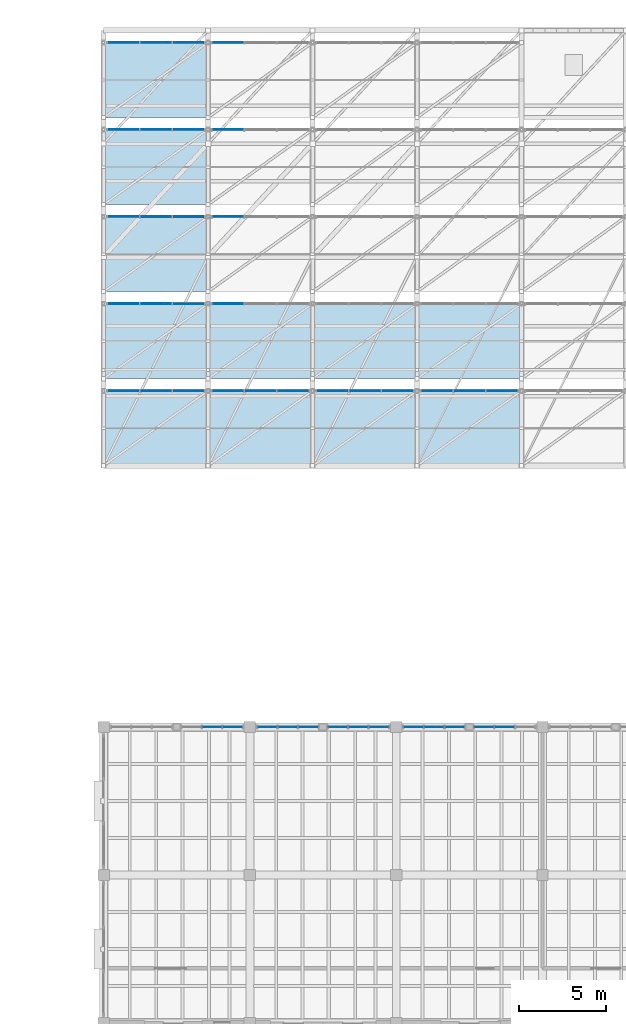
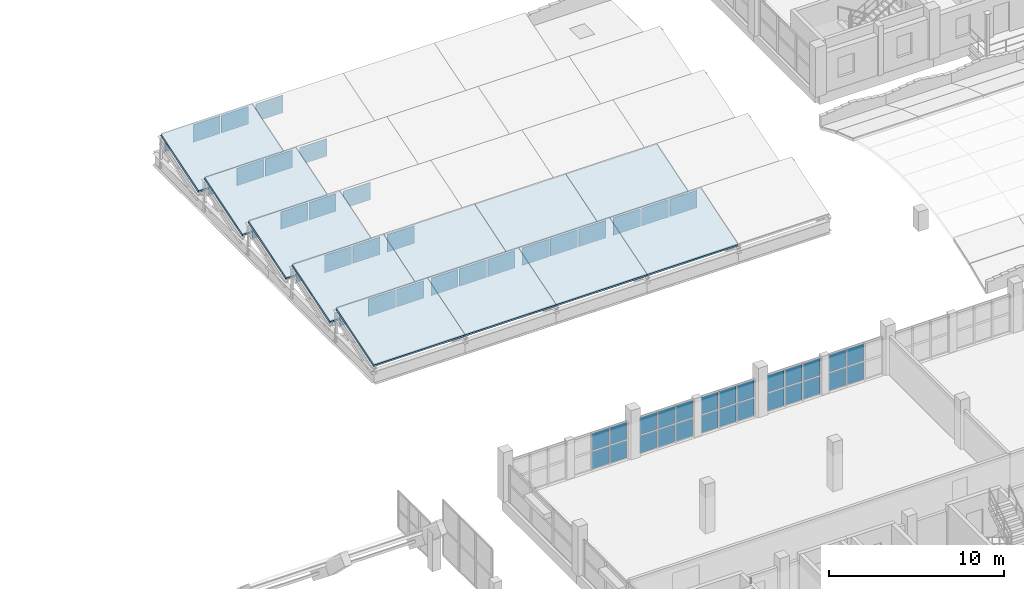
# One storey, part 26 of 48: 54 plates, 11 slabs, 17 elements without a shape of their own.
"""IFC4 building model written with IfcOpenShell, lengths in metres."""

from ifc_helpers import new_model, si_unit, direction, frame, origin, origin_2d, place, context, subcontext, project, spatial, polyline, rectangle, outline, extrude, material, layer, layer_set, type_object, element, aggregate, save


model = new_model("IFC4")

# Units and contexts
model_context = context("Model", 3, precision=1e-05, world=origin(), true_north=direction((0.0, 1.0)))
body_context = subcontext(model_context, "Body", "Model", "MODEL_VIEW")
ifc_project = project(units=[si_unit("LENGTHUNIT", "METRE"), si_unit("AREAUNIT", "SQUARE_METRE"), si_unit("VOLUMEUNIT", "CUBIC_METRE"), si_unit("PLANEANGLEUNIT", "RADIAN"), si_unit("MASSUNIT", "GRAM", prefix="KILO")], contexts=[model_context])

# Site, building, storey
site_placement = place(None, origin())
site = spatial("IfcSite", under=ifc_project, at=site_placement, CompositionType="ELEMENT")
building_placement = place(site_placement, origin())
building = spatial("IfcBuilding", under=site, at=building_placement, Name="Trellovar Central Fire Station", CompositionType="ELEMENT")
storey_placement = place(building_placement, frame((0.0, 0.0, 9.300048828125)))
storey = spatial("IfcBuildingStorey", under=building, at=storey_placement, Name="L03", CompositionType="ELEMENT", Elevation=9.300048828125)

# Curtain wall, plate
ifc_material_1 = material(Name="Thermally broken bronze anodized aluminum", Category="aluminium")
ifc_layer_1 = layer(ifc_material_1, 0.159912109375)
ifc_layer_set_1 = layer_set([ifc_layer_1], Name="Thermally broken bronze anodized aluminum")
curtain_wall_type_1 = type_object("IfcCurtainWallType", Name="CW-09", PredefinedType="NOTDEFINED", material=ifc_layer_set_1)
curtain_wall_1_placement = place(storey_placement, origin())
curtain_wall_1 = element("IfcCurtainWall", 1, at=curtain_wall_1_placement, inside=storey, type_object=curtain_wall_type_1, Name="L03 curtain wall CW-9", PredefinedType="NOTDEFINED")
ifc_material_2 = material(Name="Double low-E solar control insulated glazing", Category="glass")
ifc_layer_2 = layer(ifc_material_2, 0.031982421875)
ifc_layer_set_2 = layer_set([ifc_layer_2], Name="Double low-E solar control insulated glazing")
plate_type_1 = type_object("IfcPlateType", Name="CWP-GL1", PredefinedType="CURTAIN_PANEL", material=ifc_layer_set_2)
plate_1_placement = place(storey_placement, frame((120.125, 33.0, 1.31494140625), z_axis=(0.0, 0.0, 1.0), x_axis=(-1.0, 0.0, 0.0)))
plate_1 = element("IfcPlate", 2, at=plate_1_placement, type_object=plate_type_1, Name="CW3-L03-0078 panel 2-2", PredefinedType="CURTAIN_PANEL", context=body_context, shape_type="SweptSolid", body=[
    extrude(rectangle(XDim=1.103515625, YDim=0.031982421875, at=origin_2d()), origin(), (0.0, 0.0, 1.0), 1.195068359375),
])

ifc_material_3 = material(Name="Thermally broken bronze anodized aluminum", Category="aluminium")
ifc_layer_3 = layer(ifc_material_3, 0.159912109375)
ifc_layer_set_3 = layer_set([ifc_layer_3], Name="Thermally broken bronze anodized aluminum")
curtain_wall_type_2 = type_object("IfcCurtainWallType", Name="CW-10", PredefinedType="NOTDEFINED", material=ifc_layer_set_3)
curtain_wall_2_placement = place(storey_placement, origin())
curtain_wall_2 = element("IfcCurtainWall", 3, at=curtain_wall_2_placement, inside=storey, type_object=curtain_wall_type_2, Name="L03 curtain wall CW-10", PredefinedType="NOTDEFINED")
plate_2_placement = place(storey_placement, frame((117.25830078125, 33.0, 1.31494140625), z_axis=(0.0, 0.0, 1.0), x_axis=(-1.0, 0.0, 0.0)))
plate_2 = element("IfcPlate", 4, at=plate_2_placement, type_object=plate_type_1, Name="CW3-L03-0079 panel 1-2", PredefinedType="CURTAIN_PANEL", context=body_context, shape_type="SweptSolid", body=[
    extrude(rectangle(XDim=1.103271484375, YDim=0.031982421875, at=origin_2d()), origin(), (0.0, 0.0, 1.0), 1.195068359375),
])

curtain_wall_3_placement = place(storey_placement, origin())
curtain_wall_3 = element("IfcCurtainWall", 5, at=curtain_wall_3_placement, inside=storey, type_object=curtain_wall_type_2, Name="L03 curtain wall CW-10", PredefinedType="NOTDEFINED")
plate_3_placement = place(storey_placement, frame((123.291748046875, 33.0, 1.31494140625), z_axis=(0.0, 0.0, 1.0), x_axis=(-1.0, 0.0, 0.0)))
plate_3 = element("IfcPlate", 6, at=plate_3_placement, type_object=plate_type_1, Name="CW3-L03-0081 panel 3-2", PredefinedType="CURTAIN_PANEL", context=body_context, shape_type="SweptSolid", body=[
    extrude(rectangle(XDim=1.103271484375, YDim=0.031982421875, at=origin_2d()), origin(), (0.0, 0.0, 1.0), 1.195068359375),
])

ifc_material_4 = material(Name="Thermally broken bronze anodized aluminum", Category="aluminium")
ifc_layer_4 = layer(ifc_material_4, 0.159912109375)
ifc_layer_set_4 = layer_set([ifc_layer_4], Name="Thermally broken bronze anodized aluminum")
curtain_wall_type_3 = type_object("IfcCurtainWallType", Name="CW-06", PredefinedType="NOTDEFINED", material=ifc_layer_set_4)
curtain_wall_4_placement = place(storey_placement, origin())
curtain_wall_4 = element("IfcCurtainWall", 7, at=curtain_wall_4_placement, inside=storey, type_object=curtain_wall_type_3, Name="V6 sawtooth north-light monitor 1-1", PredefinedType="NOTDEFINED")
plate_4_placement = place(storey_placement, frame((108.5, 52.300048828125, 0.2197265625), z_axis=(0.0, 0.0, 1.0), x_axis=(-1.0, 0.0, 0.0)))
plate_4 = element("IfcPlate", 8, at=plate_4_placement, type_object=plate_type_1, Name="CW3-L03-0107 panel 2-1", PredefinedType="CURTAIN_PANEL", context=body_context, shape_type="SweptSolid", body=[
    extrude(rectangle(XDim=1.78662109375, YDim=0.031982421875, at=origin_2d()), origin(), (0.0, 0.0, 1.0), 1.219970703125),
])

curtain_wall_5_placement = place(storey_placement, origin())
curtain_wall_5 = element("IfcCurtainWall", 9, at=curtain_wall_5_placement, inside=storey, type_object=curtain_wall_type_3, Name="V6 sawtooth north-light monitor 2-1", PredefinedType="NOTDEFINED")
plate_5_placement = place(storey_placement, frame((110.36669921875, 57.300048828125, 0.2197265625), z_axis=(0.0, 0.0, 1.0), x_axis=(-1.0, 0.0, 0.0)))
plate_5 = element("IfcPlate", 10, at=plate_5_placement, type_object=plate_type_1, Name="CW3-L03-0108 panel 1-1", PredefinedType="CURTAIN_PANEL", context=body_context, shape_type="SweptSolid", body=[
    extrude(rectangle(XDim=1.78662109375, YDim=0.031982421875, at=origin_2d()), origin(), (0.0, 0.0, 1.0), 1.219970703125),
])

curtain_wall_6_placement = place(storey_placement, origin())
curtain_wall_6 = element("IfcCurtainWall", 11, at=curtain_wall_6_placement, inside=storey, type_object=curtain_wall_type_3, Name="V6 sawtooth north-light monitor 4-1", PredefinedType="NOTDEFINED")
plate_6_placement = place(storey_placement, frame((106.63330078125, 67.300048828125, 0.2197265625), z_axis=(0.0, 0.0, 1.0), x_axis=(-1.0, 0.0, 0.0)))
plate_6 = element("IfcPlate", 12, at=plate_6_placement, type_object=plate_type_1, Name="CW3-L03-0110 panel 3-1", PredefinedType="CURTAIN_PANEL", context=body_context, shape_type="SweptSolid", body=[
    extrude(rectangle(XDim=1.78662109375, YDim=0.031982421875, at=origin_2d()), origin(), (0.0, 0.0, 1.0), 1.219970703125),
])

curtain_wall_7_placement = place(storey_placement, origin())
curtain_wall_7 = element("IfcCurtainWall", 13, at=curtain_wall_7_placement, inside=storey, type_object=curtain_wall_type_3, Name="V6 sawtooth north-light monitor 5-1", PredefinedType="NOTDEFINED")
plate_7_placement = place(storey_placement, frame((108.5, 72.300048828125, 0.2197265625), z_axis=(0.0, 0.0, 1.0), x_axis=(-1.0, 0.0, 0.0)))
plate_7 = element("IfcPlate", 14, at=plate_7_placement, type_object=plate_type_1, Name="CW3-L03-0111 panel 2-1", PredefinedType="CURTAIN_PANEL", context=body_context, shape_type="SweptSolid", body=[
    extrude(rectangle(XDim=1.78662109375, YDim=0.031982421875, at=origin_2d()), origin(), (0.0, 0.0, 1.0), 1.219970703125),
])

curtain_wall_8_placement = place(storey_placement, origin())
curtain_wall_8 = element("IfcCurtainWall", 15, at=curtain_wall_8_placement, inside=storey, type_object=curtain_wall_type_3, Name="V6 sawtooth north-light monitor 1-2", PredefinedType="NOTDEFINED")
plate_8_placement = place(storey_placement, frame((114.5, 52.300048828125, 0.2197265625), z_axis=(0.0, 0.0, 1.0), x_axis=(-1.0, 0.0, 0.0)))
plate_8 = element("IfcPlate", 16, at=plate_8_placement, type_object=plate_type_1, Name="CW3-L03-0115 panel 2-1", PredefinedType="CURTAIN_PANEL", context=body_context, shape_type="SweptSolid", body=[
    extrude(rectangle(XDim=1.78662109375, YDim=0.031982421875, at=origin_2d()), origin(), (0.0, 0.0, 1.0), 1.219970703125),
])

curtain_wall_9_placement = place(storey_placement, origin())
curtain_wall_9 = element("IfcCurtainWall", 17, at=curtain_wall_9_placement, inside=storey, type_object=curtain_wall_type_3, Name="V6 sawtooth north-light monitor 4-2", PredefinedType="NOTDEFINED")
plate_9_placement = place(storey_placement, frame((112.63330078125, 67.300048828125, 0.2197265625), z_axis=(0.0, 0.0, 1.0), x_axis=(-1.0, 0.0, 0.0)))
plate_9 = element("IfcPlate", 18, at=plate_9_placement, type_object=plate_type_1, Name="CW3-L03-0118 panel 3-1", PredefinedType="CURTAIN_PANEL", context=body_context, shape_type="SweptSolid", body=[
    extrude(rectangle(XDim=1.78662109375, YDim=0.031982421875, at=origin_2d()), origin(), (0.0, 0.0, 1.0), 1.219970703125),
])
aggregate(curtain_wall_9, [plate_9])

curtain_wall_10_placement = place(storey_placement, origin())
curtain_wall_10 = element("IfcCurtainWall", 19, at=curtain_wall_10_placement, inside=storey, type_object=curtain_wall_type_3, Name="V6 sawtooth north-light monitor 1-3", PredefinedType="NOTDEFINED")
plate_10_placement = place(storey_placement, frame((120.5, 52.300048828125, 0.2197265625), z_axis=(0.0, 0.0, 1.0), x_axis=(-1.0, 0.0, 0.0)))
plate_10 = element("IfcPlate", 20, at=plate_10_placement, type_object=plate_type_1, Name="CW3-L03-0123 panel 2-1", PredefinedType="CURTAIN_PANEL", context=body_context, shape_type="SweptSolid", body=[
    extrude(rectangle(XDim=1.78662109375, YDim=0.031982421875, at=origin_2d()), origin(), (0.0, 0.0, 1.0), 1.219970703125),
])

curtain_wall_11_placement = place(storey_placement, origin())
curtain_wall_11 = element("IfcCurtainWall", 21, at=curtain_wall_11_placement, inside=storey, type_object=curtain_wall_type_3, Name="V6 sawtooth north-light monitor 1-4", PredefinedType="NOTDEFINED")
plate_11_placement = place(storey_placement, frame((126.5, 52.300048828125, 0.2197265625), z_axis=(0.0, 0.0, 1.0), x_axis=(-1.0, 0.0, 0.0)))
plate_11 = element("IfcPlate", 22, at=plate_11_placement, type_object=plate_type_1, Name="CW3-L03-0131 panel 2-1", PredefinedType="CURTAIN_PANEL", context=body_context, shape_type="SweptSolid", body=[
    extrude(rectangle(XDim=1.78662109375, YDim=0.031982421875, at=origin_2d()), origin(), (0.0, 0.0, 1.0), 1.219970703125),
])

curtain_wall_12_placement = place(storey_placement, origin())
curtain_wall_12 = element("IfcCurtainWall", 23, at=curtain_wall_12_placement, inside=storey, type_object=curtain_wall_type_1, Name="L03 curtain wall CW-9", PredefinedType="NOTDEFINED")
ifc_material_5 = material(Name="Double low-E solar control insulated glazing", Category="glass")
ifc_layer_5 = layer(ifc_material_5, 0.035888671875)
ifc_layer_set_5 = layer_set([ifc_layer_5], Name="Double low-E solar control insulated glazing")
plate_type_2 = type_object("IfcPlateType", Name="CWP-GL2", PredefinedType="CURTAIN_PANEL", material=ifc_layer_set_5)
plate_12_placement = place(storey_placement, frame((112.908203125, 33.0, 1.31494140625), z_axis=(0.0, 0.0, 1.0), x_axis=(-1.0, 0.0, 0.0)))
plate_12 = element("IfcPlate", 24, at=plate_12_placement, type_object=plate_type_2, Name="CW3-L03-0076 panel 1-2", PredefinedType="CURTAIN_PANEL", context=body_context, shape_type="SweptSolid", body=[
    extrude(rectangle(XDim=1.103271484375, YDim=0.035888671875, at=origin_2d()), origin(), (0.0, 0.0, 1.0), 1.195068359375),
])

# Plate
plate_13_placement = place(storey_placement, frame((118.941650390625, 33.0, 1.31494140625), z_axis=(0.0, 0.0, 1.0), x_axis=(-1.0, 0.0, 0.0)))
plate_13 = element("IfcPlate", 25, at=plate_13_placement, type_object=plate_type_2, Name="CW3-L03-0078 panel 3-2", PredefinedType="CURTAIN_PANEL", context=body_context, shape_type="SweptSolid", body=[
    extrude(rectangle(XDim=1.103271484375, YDim=0.035888671875, at=origin_2d()), origin(), (0.0, 0.0, 1.0), 1.195068359375),
])

plate_14_placement = place(storey_placement, frame((116.074951171875, 33.0, 1.31494140625), z_axis=(0.0, 0.0, 1.0), x_axis=(-1.0, 0.0, 0.0)))
plate_14 = element("IfcPlate", 26, at=plate_14_placement, type_object=plate_type_2, Name="CW3-L03-0079 panel 2-2", PredefinedType="CURTAIN_PANEL", context=body_context, shape_type="SweptSolid", body=[
    extrude(rectangle(XDim=1.103515625, YDim=0.035888671875, at=origin_2d()), origin(), (0.0, 0.0, 1.0), 1.195068359375),
])

plate_15_placement = place(storey_placement, frame((106.63330078125, 52.300048828125, 0.2197265625), z_axis=(0.0, 0.0, 1.0), x_axis=(-1.0, 0.0, 0.0)))
plate_15 = element("IfcPlate", 27, at=plate_15_placement, type_object=plate_type_2, Name="CW3-L03-0107 panel 3-1", PredefinedType="CURTAIN_PANEL", context=body_context, shape_type="SweptSolid", body=[
    extrude(rectangle(XDim=1.78662109375, YDim=0.035888671875, at=origin_2d()), origin(), (0.0, 0.0, 1.0), 1.219970703125),
])

plate_16_placement = place(storey_placement, frame((108.5, 57.300048828125, 0.2197265625), z_axis=(0.0, 0.0, 1.0), x_axis=(-1.0, 0.0, 0.0)))
plate_16 = element("IfcPlate", 28, at=plate_16_placement, type_object=plate_type_2, Name="CW3-L03-0108 panel 2-1", PredefinedType="CURTAIN_PANEL", context=body_context, shape_type="SweptSolid", body=[
    extrude(rectangle(XDim=1.78662109375, YDim=0.035888671875, at=origin_2d()), origin(), (0.0, 0.0, 1.0), 1.219970703125),
])

# Curtain wall, plate
curtain_wall_13_placement = place(storey_placement, origin())
curtain_wall_13 = element("IfcCurtainWall", 29, at=curtain_wall_13_placement, inside=storey, type_object=curtain_wall_type_3, Name="V6 sawtooth north-light monitor 3-1", PredefinedType="NOTDEFINED")
plate_17_placement = place(storey_placement, frame((110.36669921875, 62.300048828125, 0.2197265625), z_axis=(0.0, 0.0, 1.0), x_axis=(-1.0, 0.0, 0.0)))
plate_17 = element("IfcPlate", 30, at=plate_17_placement, type_object=plate_type_2, Name="CW3-L03-0109 panel 1-1", PredefinedType="CURTAIN_PANEL", context=body_context, shape_type="SweptSolid", body=[
    extrude(rectangle(XDim=1.78662109375, YDim=0.035888671875, at=origin_2d()), origin(), (0.0, 0.0, 1.0), 1.219970703125),
])

# Plate
plate_18_placement = place(storey_placement, frame((106.63330078125, 72.300048828125, 0.2197265625), z_axis=(0.0, 0.0, 1.0), x_axis=(-1.0, 0.0, 0.0)))
plate_18 = element("IfcPlate", 31, at=plate_18_placement, type_object=plate_type_2, Name="CW3-L03-0111 panel 3-1", PredefinedType="CURTAIN_PANEL", context=body_context, shape_type="SweptSolid", body=[
    extrude(rectangle(XDim=1.78662109375, YDim=0.035888671875, at=origin_2d()), origin(), (0.0, 0.0, 1.0), 1.219970703125),
])

plate_19_placement = place(storey_placement, frame((112.63330078125, 52.300048828125, 0.2197265625), z_axis=(0.0, 0.0, 1.0), x_axis=(-1.0, 0.0, 0.0)))
plate_19 = element("IfcPlate", 32, at=plate_19_placement, type_object=plate_type_2, Name="CW3-L03-0115 panel 3-1", PredefinedType="CURTAIN_PANEL", context=body_context, shape_type="SweptSolid", body=[
    extrude(rectangle(XDim=1.78662109375, YDim=0.035888671875, at=origin_2d()), origin(), (0.0, 0.0, 1.0), 1.219970703125),
])

# Curtain wall, plate
curtain_wall_14_placement = place(storey_placement, origin())
curtain_wall_14 = element("IfcCurtainWall", 33, at=curtain_wall_14_placement, inside=storey, type_object=curtain_wall_type_3, Name="V6 sawtooth north-light monitor 5-2", PredefinedType="NOTDEFINED")
plate_20_placement = place(storey_placement, frame((112.63330078125, 72.300048828125, 0.2197265625), z_axis=(0.0, 0.0, 1.0), x_axis=(-1.0, 0.0, 0.0)))
plate_20 = element("IfcPlate", 34, at=plate_20_placement, type_object=plate_type_2, Name="CW3-L03-0119 panel 3-1", PredefinedType="CURTAIN_PANEL", context=body_context, shape_type="SweptSolid", body=[
    extrude(rectangle(XDim=1.78662109375, YDim=0.035888671875, at=origin_2d()), origin(), (0.0, 0.0, 1.0), 1.219970703125),
])
aggregate(curtain_wall_14, [plate_20])

# Plate
plate_21_placement = place(storey_placement, frame((118.63330078125, 52.300048828125, 0.2197265625), z_axis=(0.0, 0.0, 1.0), x_axis=(-1.0, 0.0, 0.0)))
plate_21 = element("IfcPlate", 35, at=plate_21_placement, type_object=plate_type_2, Name="CW3-L03-0123 panel 3-1", PredefinedType="CURTAIN_PANEL", context=body_context, shape_type="SweptSolid", body=[
    extrude(rectangle(XDim=1.78662109375, YDim=0.035888671875, at=origin_2d()), origin(), (0.0, 0.0, 1.0), 1.219970703125),
])

plate_22_placement = place(storey_placement, frame((124.63330078125, 52.300048828125, 0.2197265625), z_axis=(0.0, 0.0, 1.0), x_axis=(-1.0, 0.0, 0.0)))
plate_22 = element("IfcPlate", 36, at=plate_22_placement, type_object=plate_type_2, Name="CW3-L03-0131 panel 3-1", PredefinedType="CURTAIN_PANEL", context=body_context, shape_type="SweptSolid", body=[
    extrude(rectangle(XDim=1.78662109375, YDim=0.035888671875, at=origin_2d()), origin(), (0.0, 0.0, 1.0), 1.219970703125),
])

ifc_material_6 = material(Name="Double low-E solar control insulated glazing", Category="glass")
ifc_layer_6 = layer(ifc_material_6, 0.033935546875)
ifc_layer_set_6 = layer_set([ifc_layer_6], Name="Double low-E solar control insulated glazing")
plate_type_3 = type_object("IfcPlateType", Name="CWP-GL3", PredefinedType="CURTAIN_PANEL", material=ifc_layer_set_6)
plate_23_placement = place(storey_placement, frame((111.72509765625, 33.0, 1.31494140625), z_axis=(0.0, 0.0, 1.0), x_axis=(-1.0, 0.0, 0.0)))
plate_23 = element("IfcPlate", 37, at=plate_23_placement, type_object=plate_type_3, Name="CW3-L03-0076 panel 2-2", PredefinedType="CURTAIN_PANEL", context=body_context, shape_type="SweptSolid", body=[
    extrude(rectangle(XDim=1.103515625, YDim=0.033935546875, at=origin_2d()), origin(), (0.0, 0.0, 1.0), 1.195068359375),
])

plate_24_placement = place(storey_placement, frame((114.8916015625, 33.0, 1.31494140625), z_axis=(0.0, 0.0, 1.0), x_axis=(-1.0, 0.0, 0.0)))
plate_24 = element("IfcPlate", 38, at=plate_24_placement, type_object=plate_type_3, Name="CW3-L03-0079 panel 3-2", PredefinedType="CURTAIN_PANEL", context=body_context, shape_type="SweptSolid", body=[
    extrude(rectangle(XDim=1.103271484375, YDim=0.033935546875, at=origin_2d()), origin(), (0.0, 0.0, 1.0), 1.195068359375),
])

# Curtain wall, plate
curtain_wall_15_placement = place(storey_placement, origin())
curtain_wall_15 = element("IfcCurtainWall", 39, at=curtain_wall_15_placement, inside=storey, type_object=curtain_wall_type_1, Name="L03 curtain wall CW-9", PredefinedType="NOTDEFINED")
plate_25_placement = place(storey_placement, frame((128.52490234375, 33.0, 1.31494140625), z_axis=(0.0, 0.0, 1.0), x_axis=(-1.0, 0.0, 0.0)))
plate_25 = element("IfcPlate", 40, at=plate_25_placement, type_object=plate_type_3, Name="CW3-L03-0080 panel 2-2", PredefinedType="CURTAIN_PANEL", context=body_context, shape_type="SweptSolid", body=[
    extrude(rectangle(XDim=1.103515625, YDim=0.033935546875, at=origin_2d()), origin(), (0.0, 0.0, 1.0), 1.195068359375),
])

# Plate
plate_26_placement = place(storey_placement, frame((125.658203125, 33.0, 1.31494140625), z_axis=(0.0, 0.0, 1.0), x_axis=(-1.0, 0.0, 0.0)))
plate_26 = element("IfcPlate", 41, at=plate_26_placement, type_object=plate_type_3, Name="CW3-L03-0081 panel 1-2", PredefinedType="CURTAIN_PANEL", context=body_context, shape_type="SweptSolid", body=[
    extrude(rectangle(XDim=1.103271484375, YDim=0.033935546875, at=origin_2d()), origin(), (0.0, 0.0, 1.0), 1.195068359375),
])

plate_27_placement = place(storey_placement, frame((106.63330078125, 57.300048828125, 0.2197265625), z_axis=(0.0, 0.0, 1.0), x_axis=(-1.0, 0.0, 0.0)))
plate_27 = element("IfcPlate", 42, at=plate_27_placement, type_object=plate_type_3, Name="CW3-L03-0108 panel 3-1", PredefinedType="CURTAIN_PANEL", context=body_context, shape_type="SweptSolid", body=[
    extrude(rectangle(XDim=1.78662109375, YDim=0.033935546875, at=origin_2d()), origin(), (0.0, 0.0, 1.0), 1.219970703125),
])

aggregate(curtain_wall_5, [plate_5, plate_16, plate_27])

plate_28_placement = place(storey_placement, frame((108.5, 62.300048828125, 0.2197265625), z_axis=(0.0, 0.0, 1.0), x_axis=(-1.0, 0.0, 0.0)))
plate_28 = element("IfcPlate", 43, at=plate_28_placement, type_object=plate_type_3, Name="CW3-L03-0109 panel 2-1", PredefinedType="CURTAIN_PANEL", context=body_context, shape_type="SweptSolid", body=[
    extrude(rectangle(XDim=1.78662109375, YDim=0.033935546875, at=origin_2d()), origin(), (0.0, 0.0, 1.0), 1.219970703125),
])

plate_29_placement = place(storey_placement, frame((110.36669921875, 67.300048828125, 0.2197265625), z_axis=(0.0, 0.0, 1.0), x_axis=(-1.0, 0.0, 0.0)))
plate_29 = element("IfcPlate", 44, at=plate_29_placement, type_object=plate_type_3, Name="CW3-L03-0110 panel 1-1", PredefinedType="CURTAIN_PANEL", context=body_context, shape_type="SweptSolid", body=[
    extrude(rectangle(XDim=1.78662109375, YDim=0.033935546875, at=origin_2d()), origin(), (0.0, 0.0, 1.0), 1.219970703125),
])

# Curtain wall, plate
curtain_wall_16_placement = place(storey_placement, origin())
curtain_wall_16 = element("IfcCurtainWall", 45, at=curtain_wall_16_placement, inside=storey, type_object=curtain_wall_type_3, Name="V6 sawtooth north-light monitor 2-2", PredefinedType="NOTDEFINED")
plate_30_placement = place(storey_placement, frame((112.63330078125, 57.300048828125, 0.2197265625), z_axis=(0.0, 0.0, 1.0), x_axis=(-1.0, 0.0, 0.0)))
plate_30 = element("IfcPlate", 46, at=plate_30_placement, type_object=plate_type_3, Name="CW3-L03-0116 panel 3-1", PredefinedType="CURTAIN_PANEL", context=body_context, shape_type="SweptSolid", body=[
    extrude(rectangle(XDim=1.78662109375, YDim=0.033935546875, at=origin_2d()), origin(), (0.0, 0.0, 1.0), 1.219970703125),
])
aggregate(curtain_wall_16, [plate_30])

# Plate
ifc_material_7 = material(Name="Double low-E solar control insulated glazing", Category="glass")
ifc_layer_7 = layer(ifc_material_7, 0.030029296875)
ifc_layer_set_7 = layer_set([ifc_layer_7], Name="Double low-E solar control insulated glazing")
plate_type_4 = type_object("IfcPlateType", Name="CWP-GL4", PredefinedType="CURTAIN_PANEL", material=ifc_layer_set_7)
plate_31_placement = place(storey_placement, frame((121.308349609375, 33.0, 1.31494140625), z_axis=(0.0, 0.0, 1.0), x_axis=(-1.0, 0.0, 0.0)))
plate_31 = element("IfcPlate", 47, at=plate_31_placement, type_object=plate_type_4, Name="CW3-L03-0078 panel 1-2", PredefinedType="CURTAIN_PANEL", context=body_context, shape_type="SweptSolid", body=[
    extrude(rectangle(XDim=1.103271484375, YDim=0.030029296875, at=origin_2d()), origin(), (0.0, 0.0, 1.0), 1.195068359375),
])

plate_32_placement = place(storey_placement, frame((127.341552734375, 33.0, 1.31494140625), z_axis=(0.0, 0.0, 1.0), x_axis=(-1.0, 0.0, 0.0)))
plate_32 = element("IfcPlate", 48, at=plate_32_placement, type_object=plate_type_4, Name="CW3-L03-0080 panel 3-2", PredefinedType="CURTAIN_PANEL", context=body_context, shape_type="SweptSolid", body=[
    extrude(rectangle(XDim=1.103271484375, YDim=0.030029296875, at=origin_2d()), origin(), (0.0, 0.0, 1.0), 1.195068359375),
])

plate_33_placement = place(storey_placement, frame((124.47509765625, 33.0, 1.31494140625), z_axis=(0.0, 0.0, 1.0), x_axis=(-1.0, 0.0, 0.0)))
plate_33 = element("IfcPlate", 49, at=plate_33_placement, type_object=plate_type_4, Name="CW3-L03-0081 panel 2-2", PredefinedType="CURTAIN_PANEL", context=body_context, shape_type="SweptSolid", body=[
    extrude(rectangle(XDim=1.103515625, YDim=0.030029296875, at=origin_2d()), origin(), (0.0, 0.0, 1.0), 1.195068359375),
])

plate_34_placement = place(storey_placement, frame((110.36669921875, 52.300048828125, 0.2197265625), z_axis=(0.0, 0.0, 1.0), x_axis=(-1.0, 0.0, 0.0)))
plate_34 = element("IfcPlate", 50, at=plate_34_placement, type_object=plate_type_4, Name="CW3-L03-0107 panel 1-1", PredefinedType="CURTAIN_PANEL", context=body_context, shape_type="SweptSolid", body=[
    extrude(rectangle(XDim=1.78662109375, YDim=0.030029296875, at=origin_2d()), origin(), (0.0, 0.0, 1.0), 1.219970703125),
])

aggregate(curtain_wall_4, [plate_34, plate_4, plate_15])

plate_35_placement = place(storey_placement, frame((106.63330078125, 62.300048828125, 0.2197265625), z_axis=(0.0, 0.0, 1.0), x_axis=(-1.0, 0.0, 0.0)))
plate_35 = element("IfcPlate", 51, at=plate_35_placement, type_object=plate_type_4, Name="CW3-L03-0109 panel 3-1", PredefinedType="CURTAIN_PANEL", context=body_context, shape_type="SweptSolid", body=[
    extrude(rectangle(XDim=1.78662109375, YDim=0.030029296875, at=origin_2d()), origin(), (0.0, 0.0, 1.0), 1.219970703125),
])

aggregate(curtain_wall_13, [plate_17, plate_28, plate_35])

plate_36_placement = place(storey_placement, frame((108.5, 67.300048828125, 0.2197265625), z_axis=(0.0, 0.0, 1.0), x_axis=(-1.0, 0.0, 0.0)))
plate_36 = element("IfcPlate", 52, at=plate_36_placement, type_object=plate_type_4, Name="CW3-L03-0110 panel 2-1", PredefinedType="CURTAIN_PANEL", context=body_context, shape_type="SweptSolid", body=[
    extrude(rectangle(XDim=1.78662109375, YDim=0.030029296875, at=origin_2d()), origin(), (0.0, 0.0, 1.0), 1.219970703125),
])

aggregate(curtain_wall_6, [plate_29, plate_36, plate_6])

plate_37_placement = place(storey_placement, frame((110.36669921875, 72.300048828125, 0.2197265625), z_axis=(0.0, 0.0, 1.0), x_axis=(-1.0, 0.0, 0.0)))
plate_37 = element("IfcPlate", 53, at=plate_37_placement, type_object=plate_type_4, Name="CW3-L03-0111 panel 1-1", PredefinedType="CURTAIN_PANEL", context=body_context, shape_type="SweptSolid", body=[
    extrude(rectangle(XDim=1.78662109375, YDim=0.030029296875, at=origin_2d()), origin(), (0.0, 0.0, 1.0), 1.219970703125),
])

aggregate(curtain_wall_7, [plate_37, plate_7, plate_18])

plate_38_placement = place(storey_placement, frame((116.36669921875, 52.300048828125, 0.2197265625), z_axis=(0.0, 0.0, 1.0), x_axis=(-1.0, 0.0, 0.0)))
plate_38 = element("IfcPlate", 54, at=plate_38_placement, type_object=plate_type_4, Name="CW3-L03-0115 panel 1-1", PredefinedType="CURTAIN_PANEL", context=body_context, shape_type="SweptSolid", body=[
    extrude(rectangle(XDim=1.78662109375, YDim=0.030029296875, at=origin_2d()), origin(), (0.0, 0.0, 1.0), 1.219970703125),
])

aggregate(curtain_wall_8, [plate_38, plate_8, plate_19])

# Curtain wall, plate
curtain_wall_17_placement = place(storey_placement, origin())
curtain_wall_17 = element("IfcCurtainWall", 55, at=curtain_wall_17_placement, inside=storey, type_object=curtain_wall_type_3, Name="V6 sawtooth north-light monitor 3-2", PredefinedType="NOTDEFINED")
plate_39_placement = place(storey_placement, frame((112.63330078125, 62.300048828125, 0.2197265625), z_axis=(0.0, 0.0, 1.0), x_axis=(-1.0, 0.0, 0.0)))
plate_39 = element("IfcPlate", 56, at=plate_39_placement, type_object=plate_type_4, Name="CW3-L03-0117 panel 3-1", PredefinedType="CURTAIN_PANEL", context=body_context, shape_type="SweptSolid", body=[
    extrude(rectangle(XDim=1.78662109375, YDim=0.030029296875, at=origin_2d()), origin(), (0.0, 0.0, 1.0), 1.219970703125),
])
aggregate(curtain_wall_17, [plate_39])

# Plate
plate_40_placement = place(storey_placement, frame((122.36669921875, 52.300048828125, 0.2197265625), z_axis=(0.0, 0.0, 1.0), x_axis=(-1.0, 0.0, 0.0)))
plate_40 = element("IfcPlate", 57, at=plate_40_placement, type_object=plate_type_4, Name="CW3-L03-0123 panel 1-1", PredefinedType="CURTAIN_PANEL", context=body_context, shape_type="SweptSolid", body=[
    extrude(rectangle(XDim=1.78662109375, YDim=0.030029296875, at=origin_2d()), origin(), (0.0, 0.0, 1.0), 1.219970703125),
])

aggregate(curtain_wall_10, [plate_40, plate_10, plate_21])

plate_41_placement = place(storey_placement, frame((128.36669921875, 52.300048828125, 0.2197265625), z_axis=(0.0, 0.0, 1.0), x_axis=(-1.0, 0.0, 0.0)))
plate_41 = element("IfcPlate", 58, at=plate_41_placement, type_object=plate_type_4, Name="CW3-L03-0131 panel 1-1", PredefinedType="CURTAIN_PANEL", context=body_context, shape_type="SweptSolid", body=[
    extrude(rectangle(XDim=1.78662109375, YDim=0.030029296875, at=origin_2d()), origin(), (0.0, 0.0, 1.0), 1.219970703125),
])

aggregate(curtain_wall_11, [plate_41, plate_11, plate_22])

ifc_material_8 = material(Name="Glazed ceramic trencadis and terracotta panel", Category="masonry")
ifc_layer_8 = layer(ifc_material_8, 0.048095703125)
ifc_layer_set_8 = layer_set([ifc_layer_8], Name="Glazed ceramic trencadis and terracotta panel")
plate_type_5 = type_object("IfcPlateType", Name="CWP-SP1", PredefinedType="CURTAIN_PANEL", material=ifc_layer_set_8)
plate_42_placement = place(storey_placement, frame((112.908203125, 33.0, 0.0400390625), z_axis=(0.0, 0.0, 1.0), x_axis=(-1.0, 0.0, 0.0)))
plate_42 = element("IfcPlate", 59, at=plate_42_placement, type_object=plate_type_5, Name="CW3-L03-0076 panel 1-1", PredefinedType="CURTAIN_PANEL", context=body_context, shape_type="SweptSolid", body=[
    extrude(rectangle(XDim=1.103271484375, YDim=0.048095703125, at=origin_2d()), origin(), (0.0, 0.0, 1.0), 1.195068359375),
])

plate_43_placement = place(storey_placement, frame((121.308349609375, 33.0, 0.0400390625), z_axis=(0.0, 0.0, 1.0), x_axis=(-1.0, 0.0, 0.0)))
plate_43 = element("IfcPlate", 60, at=plate_43_placement, type_object=plate_type_5, Name="CW3-L03-0078 panel 1-1", PredefinedType="CURTAIN_PANEL", context=body_context, shape_type="SweptSolid", body=[
    extrude(rectangle(XDim=1.103271484375, YDim=0.048095703125, at=origin_2d()), origin(), (0.0, 0.0, 1.0), 1.195068359375),
])

plate_44_placement = place(storey_placement, frame((118.941650390625, 33.0, 0.0400390625), z_axis=(0.0, 0.0, 1.0), x_axis=(-1.0, 0.0, 0.0)))
plate_44 = element("IfcPlate", 61, at=plate_44_placement, type_object=plate_type_5, Name="CW3-L03-0078 panel 3-1", PredefinedType="CURTAIN_PANEL", context=body_context, shape_type="SweptSolid", body=[
    extrude(rectangle(XDim=1.103271484375, YDim=0.048095703125, at=origin_2d()), origin(), (0.0, 0.0, 1.0), 1.195068359375),
])

plate_45_placement = place(storey_placement, frame((116.074951171875, 33.0, 0.0400390625), z_axis=(0.0, 0.0, 1.0), x_axis=(-1.0, 0.0, 0.0)))
plate_45 = element("IfcPlate", 62, at=plate_45_placement, type_object=plate_type_5, Name="CW3-L03-0079 panel 2-1", PredefinedType="CURTAIN_PANEL", context=body_context, shape_type="SweptSolid", body=[
    extrude(rectangle(XDim=1.103515625, YDim=0.048095703125, at=origin_2d()), origin(), (0.0, 0.0, 1.0), 1.195068359375),
])

plate_46_placement = place(storey_placement, frame((127.341552734375, 33.0, 0.0400390625), z_axis=(0.0, 0.0, 1.0), x_axis=(-1.0, 0.0, 0.0)))
plate_46 = element("IfcPlate", 63, at=plate_46_placement, type_object=plate_type_5, Name="CW3-L03-0080 panel 3-1", PredefinedType="CURTAIN_PANEL", context=body_context, shape_type="SweptSolid", body=[
    extrude(rectangle(XDim=1.103271484375, YDim=0.048095703125, at=origin_2d()), origin(), (0.0, 0.0, 1.0), 1.195068359375),
])

plate_47_placement = place(storey_placement, frame((124.47509765625, 33.0, 0.0400390625), z_axis=(0.0, 0.0, 1.0), x_axis=(-1.0, 0.0, 0.0)))
plate_47 = element("IfcPlate", 64, at=plate_47_placement, type_object=plate_type_5, Name="CW3-L03-0081 panel 2-1", PredefinedType="CURTAIN_PANEL", context=body_context, shape_type="SweptSolid", body=[
    extrude(rectangle(XDim=1.103515625, YDim=0.048095703125, at=origin_2d()), origin(), (0.0, 0.0, 1.0), 1.195068359375),
])

ifc_material_9 = material(Name="Glazed ceramic trencadis and terracotta panel", Category="masonry")
ifc_layer_9 = layer(ifc_material_9, 0.044921875)
ifc_layer_set_9 = layer_set([ifc_layer_9], Name="Glazed ceramic trencadis and terracotta panel")
plate_type_6 = type_object("IfcPlateType", Name="CWP-SP2", PredefinedType="CURTAIN_PANEL", material=ifc_layer_set_9)
plate_48_placement = place(storey_placement, frame((111.72509765625, 33.0, 0.0400390625), z_axis=(0.0, 0.0, 1.0), x_axis=(-1.0, 0.0, 0.0)))
plate_48 = element("IfcPlate", 65, at=plate_48_placement, type_object=plate_type_6, Name="CW3-L03-0076 panel 2-1", PredefinedType="CURTAIN_PANEL", context=body_context, shape_type="SweptSolid", body=[
    extrude(rectangle(XDim=1.103515625, YDim=0.044921875, at=origin_2d()), origin(), (0.0, 0.0, 1.0), 1.195068359375),
])

aggregate(curtain_wall_12, [plate_42, plate_12, plate_48, plate_23])

plate_49_placement = place(storey_placement, frame((120.125, 33.0, 0.0400390625), z_axis=(0.0, 0.0, 1.0), x_axis=(-1.0, 0.0, 0.0)))
plate_49 = element("IfcPlate", 66, at=plate_49_placement, type_object=plate_type_6, Name="CW3-L03-0078 panel 2-1", PredefinedType="CURTAIN_PANEL", context=body_context, shape_type="SweptSolid", body=[
    extrude(rectangle(XDim=1.103515625, YDim=0.044921875, at=origin_2d()), origin(), (0.0, 0.0, 1.0), 1.195068359375),
])

aggregate(curtain_wall_1, [plate_43, plate_31, plate_49, plate_1, plate_44, plate_13])

plate_50_placement = place(storey_placement, frame((117.25830078125, 33.0, 0.0400390625), z_axis=(0.0, 0.0, 1.0), x_axis=(-1.0, 0.0, 0.0)))
plate_50 = element("IfcPlate", 67, at=plate_50_placement, type_object=plate_type_6, Name="CW3-L03-0079 panel 1-1", PredefinedType="CURTAIN_PANEL", context=body_context, shape_type="SweptSolid", body=[
    extrude(rectangle(XDim=1.103271484375, YDim=0.044921875, at=origin_2d()), origin(), (0.0, 0.0, 1.0), 1.195068359375),
])

plate_51_placement = place(storey_placement, frame((114.8916015625, 33.0, 0.0400390625), z_axis=(0.0, 0.0, 1.0), x_axis=(-1.0, 0.0, 0.0)))
plate_51 = element("IfcPlate", 68, at=plate_51_placement, type_object=plate_type_6, Name="CW3-L03-0079 panel 3-1", PredefinedType="CURTAIN_PANEL", context=body_context, shape_type="SweptSolid", body=[
    extrude(rectangle(XDim=1.103271484375, YDim=0.044921875, at=origin_2d()), origin(), (0.0, 0.0, 1.0), 1.195068359375),
])

aggregate(curtain_wall_2, [plate_50, plate_2, plate_45, plate_14, plate_51, plate_24])

plate_52_placement = place(storey_placement, frame((128.52490234375, 33.0, 0.0400390625), z_axis=(0.0, 0.0, 1.0), x_axis=(-1.0, 0.0, 0.0)))
plate_52 = element("IfcPlate", 69, at=plate_52_placement, type_object=plate_type_6, Name="CW3-L03-0080 panel 2-1", PredefinedType="CURTAIN_PANEL", context=body_context, shape_type="SweptSolid", body=[
    extrude(rectangle(XDim=1.103515625, YDim=0.044921875, at=origin_2d()), origin(), (0.0, 0.0, 1.0), 1.195068359375),
])

aggregate(curtain_wall_15, [plate_52, plate_25, plate_46, plate_32])

plate_53_placement = place(storey_placement, frame((125.658203125, 33.0, 0.0400390625), z_axis=(0.0, 0.0, 1.0), x_axis=(-1.0, 0.0, 0.0)))
plate_53 = element("IfcPlate", 70, at=plate_53_placement, type_object=plate_type_6, Name="CW3-L03-0081 panel 1-1", PredefinedType="CURTAIN_PANEL", context=body_context, shape_type="SweptSolid", body=[
    extrude(rectangle(XDim=1.103271484375, YDim=0.044921875, at=origin_2d()), origin(), (0.0, 0.0, 1.0), 1.195068359375),
])

plate_54_placement = place(storey_placement, frame((123.291748046875, 33.0, 0.0400390625), z_axis=(0.0, 0.0, 1.0), x_axis=(-1.0, 0.0, 0.0)))
plate_54 = element("IfcPlate", 71, at=plate_54_placement, type_object=plate_type_6, Name="CW3-L03-0081 panel 3-1", PredefinedType="CURTAIN_PANEL", context=body_context, shape_type="SweptSolid", body=[
    extrude(rectangle(XDim=1.103271484375, YDim=0.044921875, at=origin_2d()), origin(), (0.0, 0.0, 1.0), 1.195068359375),
])

aggregate(curtain_wall_3, [plate_53, plate_26, plate_47, plate_33, plate_54, plate_3])

# Slabs
ifc_material_10 = material(Name="Concrete C40/50", Category="concrete")
ifc_layer_10 = layer(ifc_material_10, 0.1650390625)
ifc_layer_set_10 = layer_set([ifc_layer_10], Name="Concrete C40/50")
slab_type = type_object("IfcSlabType", Name="SLB-SAW165", PredefinedType="ROOF", material=ifc_layer_set_10)
for number, where, z_axis, x_axis, name in (
    (72, (105.5, 48.0, 0.179931640625), (0.0, -0.299554733308, 0.954079117135), (1.0, 0.0, 0.0), "V6 sawtooth roof shell 1-105"),
    (73, (111.5, 48.0, 0.179931640625), (0.0, -0.299554733308, 0.954079117135), (1.0, 0.0, 0.0), "V6 sawtooth roof shell 1-111"),
    (74, (117.5, 48.0, 0.179931640625), (0.0, -0.299554733308, 0.954079117135), (1.0, 0.0, 0.0), "V6 sawtooth roof shell 1-117"),
    (75, (123.5, 48.0, 0.179931640625), (0.0, -0.299554733308, 0.954079117135), (1.0, 0.0, 0.0), "V6 sawtooth roof shell 1-123"),
    (76, (105.5, 53.0, 0.179931640625), (0.0, -0.299554733308, 0.954079117135), (1.0, 0.0, 0.0), "V6 sawtooth roof shell 2-105"),
    (77, (111.5, 53.0, 0.179931640625), (0.0, -0.299554733308, 0.954079117135), (1.0, 0.0, 0.0), "V6 sawtooth roof shell 2-111"),
    (78, (117.5, 53.0, 0.179931640625), (0.0, -0.299554733308, 0.954079117135), (1.0, 0.0, 0.0), "V6 sawtooth roof shell 2-117"),
    (79, (123.5, 53.0, 0.179931640625), (0.0, -0.299554733308, 0.954079117135), (1.0, 0.0, 0.0), "V6 sawtooth roof shell 2-123"),
    (80, (105.5, 58.0, 0.179931640625), (0.0, -0.299554733308, 0.954079117135), (1.0, 0.0, 0.0), "V6 sawtooth roof shell 3-105"),
    (81, (105.5, 63.0, 0.179931640625), (0.0, -0.299554733308, 0.954079117135), (1.0, 0.0, 0.0), "V6 sawtooth roof shell 4-105"),
    (82, (105.5, 68.0, 0.179931640625), (0.0, -0.299554733308, 0.954079117135), (1.0, 0.0, 0.0), "V6 sawtooth roof shell 5-105"),
):
    element("IfcSlab", number, at=place(storey_placement, frame(where, z_axis=z_axis, x_axis=x_axis)), inside=storey, type_object=slab_type, Name=name, PredefinedType="ROOF", context=body_context, shape_type="SweptSolid", body=[
        extrude(outline(polyline([(0.0, 0.0), (6.0, 0.0), (6.0, 4.5070149329318765), (0.0, 4.5070149329318765), (0.0, 0.0)])), origin(), (0.0, 0.0, -1.0), 0.1650390625),
    ])

save(model, "model.ifc")
